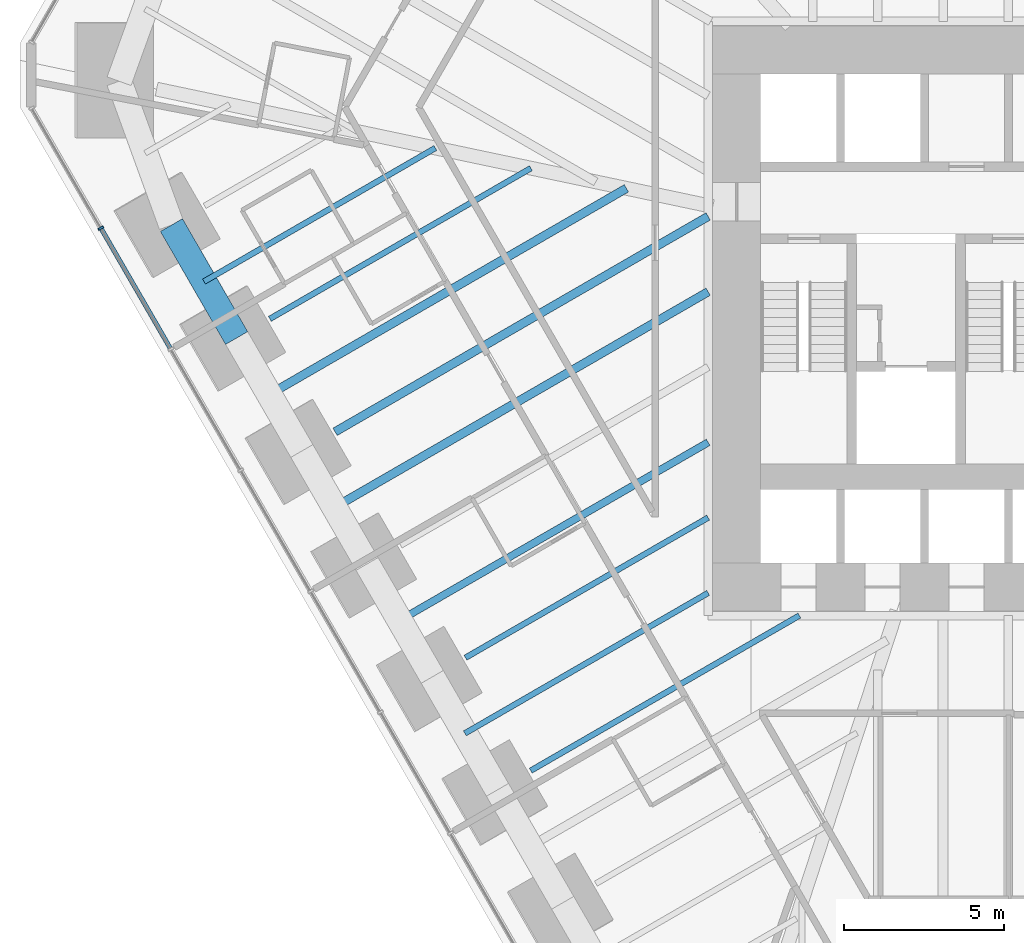
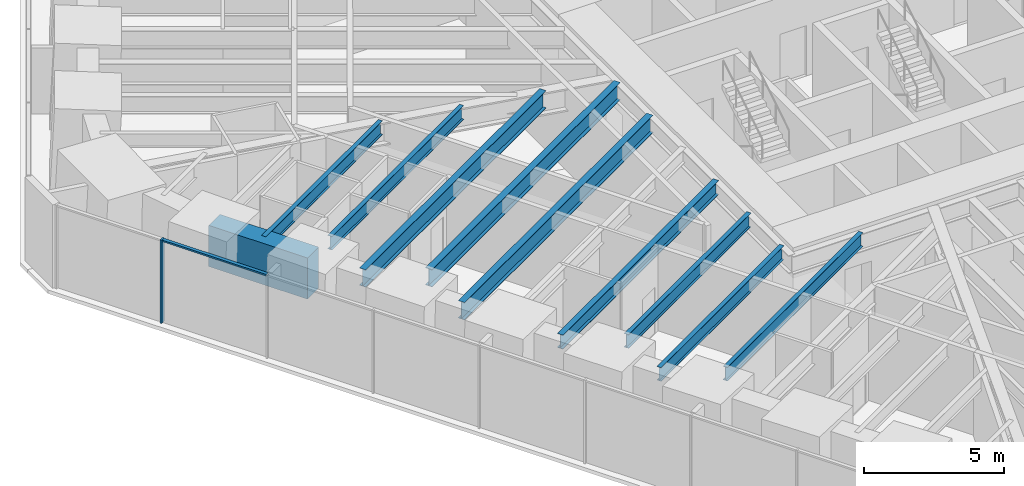
# One storey, part 3 of 17: 10 beams, 2 members, 1 element without a shape of its own.
"""IFC4 building model written with IfcOpenShell, lengths in metres."""

from ifc_helpers import new_model, si_unit, direction, frame, origin, origin_2d, place, context, subcontext, project, spatial, rectangle, i_section, extrude, material, material_profile, profile_set, type_object, element, aggregate, save


model = new_model("IFC4")

# Units and contexts
model_context = context("Model", 3, precision=1e-05, world=origin(), true_north=direction((0.0, 1.0)))
body_context = subcontext(model_context, "Body", "Model", "MODEL_VIEW")
ifc_project = project(units=[si_unit("LENGTHUNIT", "METRE"), si_unit("AREAUNIT", "SQUARE_METRE"), si_unit("VOLUMEUNIT", "CUBIC_METRE"), si_unit("PLANEANGLEUNIT", "RADIAN"), si_unit("MASSUNIT", "GRAM", prefix="KILO")], contexts=[model_context])

# Site, building, storey
site_placement = place(None, origin())
site = spatial("IfcSite", under=ifc_project, at=site_placement, CompositionType="ELEMENT")
building_placement = place(site_placement, origin())
building = spatial("IfcBuilding", under=site, at=building_placement, Name="Sandreach Pilgrim Tower", CompositionType="ELEMENT")
storey_placement = place(building_placement, frame((0.0, 0.0, 72.39990234375)))
storey = spatial("IfcBuildingStorey", under=building, at=storey_placement, Name="L17", CompositionType="ELEMENT", Elevation=72.39990234375)

# Curtain wall, members
ifc_material_1 = material(Name="Aluminium framed curtain wall", Category="aluminium")
curtain_wall_type = type_object("IfcCurtainWallType", Name="Hostel tower curtain wall", PredefinedType="NOTDEFINED", material=ifc_material_1)
curtain_wall_placement = place(storey_placement, origin())
curtain_wall = element("IfcCurtainWall", 1, at=curtain_wall_placement, inside=storey, type_object=curtain_wall_type, Name="CW-1 L17 SW", PredefinedType="NOTDEFINED")
ifc_material_2 = material(Name="Aluminium extrusion", Category="aluminium")
ifc_material_profile_1 = material_profile(ifc_material_2, rectangle(XDim=0.06494140625, YDim=0.179931640625, at=origin_2d()), Name="CW-1M 65X180")
ifc_profile_set_1 = profile_set([ifc_material_profile_1], Name="Aluminium extrusion")
member_type_1 = type_object("IfcMemberType", Name="CW-1 mullion", PredefinedType="MULLION", material=ifc_profile_set_1)
member_1_placement = place(storey_placement, frame((-28.390380859375, 1.2763671875, 0.0), z_axis=(0.0, 0.0, 1.0), x_axis=(-0.5, 0.866025403784, 0.0)))
member_1 = element("IfcMember", 2, at=member_1_placement, type_object=member_type_1, Name="CW-1 mullion 9", PredefinedType="MULLION", context=body_context, shape_type="SweptSolid", body=[
    extrude(rectangle(XDim=0.06494140625, YDim=0.179931640625, at=origin_2d()), origin(), (0.0, 0.0, 1.0), 3.64013671875),
])
ifc_material_3 = material(Name="Aluminium extrusion", Category="aluminium")
ifc_material_profile_2 = material_profile(ifc_material_3, rectangle(XDim=0.139892578125, YDim=0.070068359375, at=origin_2d()), Name="CW-1T 140X70")
ifc_profile_set_2 = profile_set([ifc_material_profile_2], Name="Aluminium extrusion")
member_type_2 = type_object("IfcMemberType", Name="CW-1 transom", PredefinedType="USERDEFINED", material=ifc_profile_set_2)
member_2_placement = place(storey_placement, frame((-26.220947265625, -2.4814453125, 3.60498046875), z_axis=(-0.500016891966, 0.866015650984, 0.0), x_axis=(-0.866015650984, -0.500016891966, 0.0)))
member_2 = element("IfcMember", 3, at=member_2_placement, type_object=member_type_2, Name="CW-1 head transom 8", ObjectType="TRANSOM", PredefinedType="USERDEFINED", context=body_context, shape_type="SweptSolid", body=[
    extrude(rectangle(XDim=0.139892578125, YDim=0.070068359375, at=origin_2d()), origin(), (0.0, 0.0, 1.0), 4.306396484375),
])
aggregate(curtain_wall, [member_1, member_2])

# Beams
ifc_material_4 = material(Name="Steel ASTM A992 Grade 50", Category="steel")
ifc_material_profile_3 = material_profile(ifc_material_4, i_section(OverallWidth=0.1787109375, OverallDepth=0.60205078125, WebThickness=0.010986328125, FlangeThickness=0.014892578125, at=origin_2d()), Name="W24X62")
ifc_profile_set_3 = profile_set([ifc_material_profile_3], Name="Steel ASTM A992 Grade 50")
beam_type_1 = type_object("IfcBeamType", Name="Floor beam W24X62", PredefinedType="BEAM", material=ifc_profile_set_3)
beam_1_placement = place(storey_placement, frame((-14.94482421875, -15.69580078125, 3.339111328125), z_axis=(0.866023882772, 0.500002634462, 0.0), x_axis=(-0.500002634462, 0.866023882772, 0.0)))
element("IfcBeam", 4, at=beam_1_placement, inside=storey, type_object=beam_type_1, Name="BM L17 F29", PredefinedType="BEAM", context=body_context, shape_type="SweptSolid", body=[
    extrude(i_section(OverallWidth=0.1787109375, OverallDepth=0.60205078125, WebThickness=0.010986328125, FlangeThickness=0.014892578125, at=origin_2d()), origin(), (0.0, 0.0, 1.0), 9.705078125),
])
beam_2_placement = place(storey_placement, frame((-16.985107421875, -12.162109375, 3.339111328125), z_axis=(0.866028828302, 0.499994068514, 0.0), x_axis=(-0.499994068514, 0.866028828302, 0.0)))
element("IfcBeam", 5, at=beam_2_placement, inside=storey, type_object=beam_type_1, Name="BM L17 F30", PredefinedType="BEAM", context=body_context, shape_type="SweptSolid", body=[
    extrude(i_section(OverallWidth=0.1787109375, OverallDepth=0.60205078125, WebThickness=0.010986328125, FlangeThickness=0.014892578125, at=origin_2d()), origin(), (0.0, 0.0, 1.0), 8.76611328125),
])
beam_3_placement = place(storey_placement, frame((-23.105712890625, -1.56103515625, 3.339111328125), z_axis=(0.866024774371, 0.500001090174, 0.0), x_axis=(-0.500001090174, 0.866024774371, 0.0)))
element("IfcBeam", 6, at=beam_3_placement, inside=storey, type_object=beam_type_1, Name="BM L17 F33", PredefinedType="BEAM", context=body_context, shape_type="SweptSolid", body=[
    extrude(i_section(OverallWidth=0.1787109375, OverallDepth=0.60205078125, WebThickness=0.010986328125, FlangeThickness=0.014892578125, at=origin_2d()), origin(), (0.0, 0.0, 1.0), 9.43017578125),
])
beam_4_placement = place(storey_placement, frame((-17.004150390625, -14.529052734375, 3.339111328125), z_axis=(0.866017191273, 0.500014224217, 0.0), x_axis=(-0.500014224217, 0.866017191273, 0.0)))
element("IfcBeam", 7, at=beam_4_placement, inside=storey, type_object=beam_type_1, Name="BM L17 FM29", PredefinedType="BEAM", context=body_context, shape_type="SweptSolid", body=[
    extrude(i_section(OverallWidth=0.1787109375, OverallDepth=0.60205078125, WebThickness=0.010986328125, FlangeThickness=0.014892578125, at=origin_2d()), origin(), (0.0, 0.0, 1.0), 8.788330078125),
])
beam_5_placement = place(storey_placement, frame((-25.1650390625, -0.39404296875, 3.339111328125), z_axis=(0.866028955209, 0.499993848702, 0.0), x_axis=(-0.499993848702, 0.866028955209, 0.0)))
element("IfcBeam", 8, at=beam_5_placement, inside=storey, type_object=beam_type_1, Name="BM L17 FM33", PredefinedType="BEAM", context=body_context, shape_type="SweptSolid", body=[
    extrude(i_section(OverallWidth=0.1787109375, OverallDepth=0.60205078125, WebThickness=0.010986328125, FlangeThickness=0.014892578125, at=origin_2d()), origin(), (0.0, 0.0, 1.0), 8.35791015625),
])
ifc_material_5 = material(Name="Steel ASTM A992 Grade 50", Category="steel")
ifc_material_profile_4 = material_profile(ifc_material_5, i_section(OverallWidth=0.23046875, OverallDepth=0.6171875, WebThickness=0.01318359375, FlangeThickness=0.022216796875, at=origin_2d()), Name="W24X94")
ifc_profile_set_4 = profile_set([ifc_material_profile_4], Name="Steel ASTM A992 Grade 50")
beam_type_2 = type_object("IfcBeamType", Name="Floor beam W24X94", PredefinedType="BEAM", material=ifc_profile_set_4)
beam_6_placement = place(storey_placement, frame((-19.04443359375, -10.995361328125, 3.33154296875), z_axis=(0.866027618733, 0.499996163577, 0.0), x_axis=(-0.499996163577, 0.866027618733, 0.0)))
element("IfcBeam", 9, at=beam_6_placement, inside=storey, type_object=beam_type_2, Name="BM L17 FM30", PredefinedType="BEAM", context=body_context, shape_type="SweptSolid", body=[
    extrude(i_section(OverallWidth=0.23046875, OverallDepth=0.6171875, WebThickness=0.01318359375, FlangeThickness=0.022216796875, at=origin_2d()), origin(), (0.0, 0.0, 1.0), 11.14404296875),
])
ifc_material_6 = material(Name="Steel ASTM A992 Grade 50", Category="steel")
ifc_material_profile_5 = material_profile(ifc_material_6, i_section(OverallWidth=0.2666015625, OverallDepth=0.761962890625, WebThickness=0.014404296875, FlangeThickness=0.021484375, at=origin_2d()), Name="W30X116")
ifc_profile_set_5 = profile_set([ifc_material_profile_5], Name="Steel ASTM A992 Grade 50")
beam_type_3 = type_object("IfcBeamType", Name="Floor beam W30X116", PredefinedType="BEAM", material=ifc_profile_set_5)
beam_7_placement = place(storey_placement, frame((-21.0654296875, -5.0947265625, 3.259033203125), z_axis=(0.86602178798, 0.500006262704, 0.0), x_axis=(-0.500006262704, 0.86602178798, 0.0)))
element("IfcBeam", 10, at=beam_7_placement, inside=storey, type_object=beam_type_3, Name="BM L17 F32", PredefinedType="BEAM", context=body_context, shape_type="SweptSolid", body=[
    extrude(i_section(OverallWidth=0.2666015625, OverallDepth=0.761962890625, WebThickness=0.014404296875, FlangeThickness=0.021484375, at=origin_2d()), origin(), (0.0, 0.0, 1.0), 13.477783203125),
])
beam_8_placement = place(storey_placement, frame((-21.084716796875, -7.461669921875, 3.259033203125), z_axis=(0.866026575979, 0.499997969693, 0.0), x_axis=(-0.499997969693, 0.866026575979, 0.0)))
element("IfcBeam", 11, at=beam_8_placement, inside=storey, type_object=beam_type_3, Name="BM L17 FM31", PredefinedType="BEAM", context=body_context, shape_type="SweptSolid", body=[
    extrude(i_section(OverallWidth=0.2666015625, OverallDepth=0.761962890625, WebThickness=0.014404296875, FlangeThickness=0.021484375, at=origin_2d()), origin(), (0.0, 0.0, 1.0), 13.5),
])
beam_9_placement = place(storey_placement, frame((-23.124755859375, -3.927978515625, 3.259033203125), z_axis=(0.866022042486, 0.500005821895, 0.0), x_axis=(-0.500005821895, 0.866022042486, 0.0)))
element("IfcBeam", 12, at=beam_9_placement, inside=storey, type_object=beam_type_3, Name="BM L17 FM32", PredefinedType="BEAM", context=body_context, shape_type="SweptSolid", body=[
    extrude(i_section(OverallWidth=0.2666015625, OverallDepth=0.761962890625, WebThickness=0.014404296875, FlangeThickness=0.021484375, at=origin_2d()), origin(), (0.0, 0.0, 1.0), 12.902099609375),
])
ifc_material_7 = material(Name="Concrete 10000 psi", Category="concrete")
ifc_material_profile_6 = material_profile(ifc_material_7, rectangle(XDim=0.800048828125, YDim=1.800048828125, at=origin_2d()), Name="RC800X1800")
ifc_profile_set_6 = profile_set([ifc_material_profile_6], Name="Concrete 10000 psi")
beam_type_4 = type_object("IfcBeamType", Name="Spandrel beam RC800X1800", PredefinedType="SPANDREL", material=ifc_profile_set_6)
beam_10_placement = place(storey_placement, frame((-24.14501953125, -2.1611328125, 2.739990234375), z_axis=(-0.499948612594, 0.866055070284, 0.0), x_axis=(-0.866055070284, -0.499948612594, 0.0)))
element("IfcBeam", 13, at=beam_10_placement, inside=storey, type_object=beam_type_4, Name="BM L17 SP33", PredefinedType="SPANDREL", context=body_context, shape_type="SweptSolid", body=[
    extrude(rectangle(XDim=0.800048828125, YDim=1.800048828125, at=origin_2d()), origin(), (0.0, 0.0, 1.0), 4.08056640625),
])

save(model, "model.ifc")
